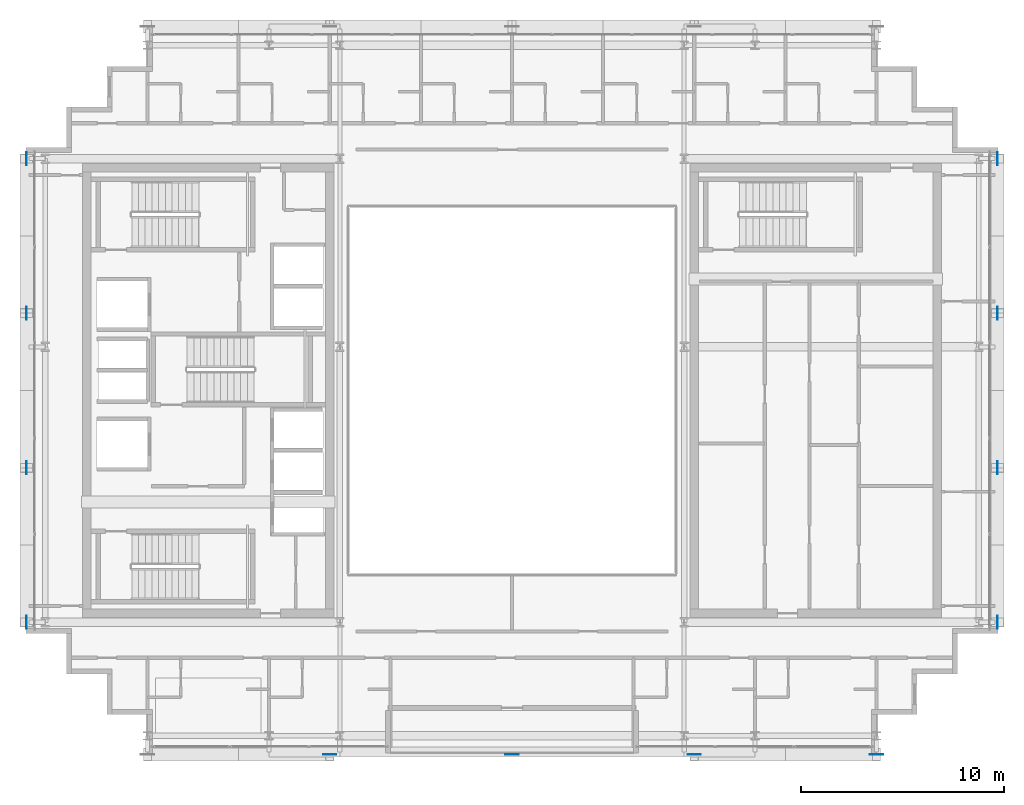
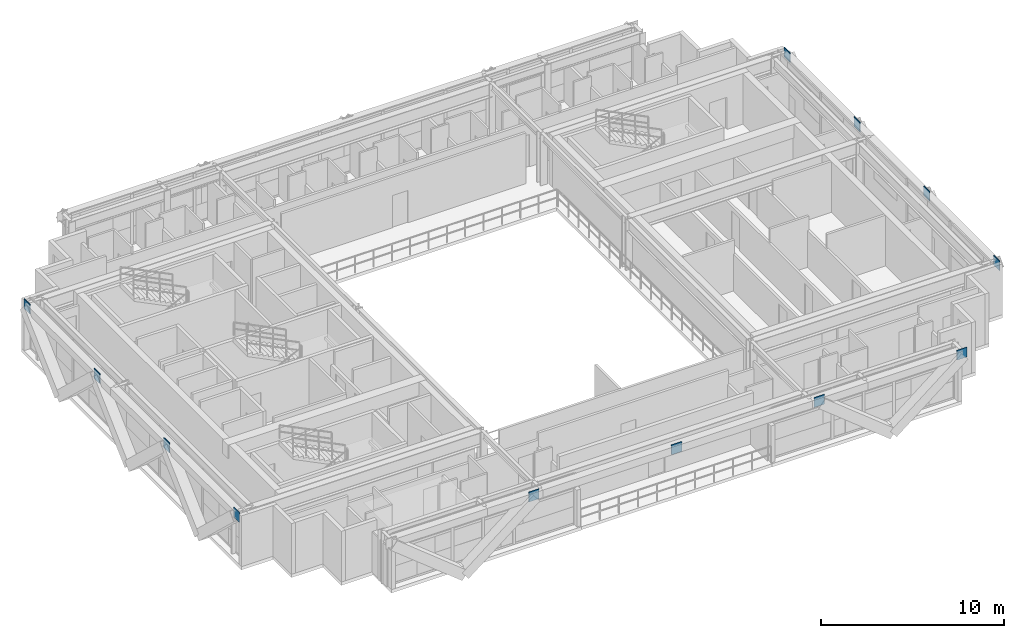
# One storey, part 18 of 28: 12 plates.
"""IFC4 building model written with IfcOpenShell, lengths in metres."""

from ifc_helpers import new_model, si_unit, direction, frame, origin, origin_2d, place, context, subcontext, project, spatial, rectangle, extrude, source, transform, mapped, material, layer, layer_set, type_object, element, save


model = new_model("IFC4")

# Units and contexts
model_context = context("Model", 3, precision=1e-05, world=origin(), true_north=direction((0.0, 1.0)))
body_context = subcontext(model_context, "Body", "Model", "MODEL_VIEW")
ifc_project = project(units=[si_unit("LENGTHUNIT", "METRE"), si_unit("AREAUNIT", "SQUARE_METRE"), si_unit("VOLUMEUNIT", "CUBIC_METRE"), si_unit("PLANEANGLEUNIT", "RADIAN"), si_unit("MASSUNIT", "GRAM", prefix="KILO")], contexts=[model_context])

# Site, building, storey
site_placement = place(None, origin())
site = spatial("IfcSite", under=ifc_project, at=site_placement, CompositionType="ELEMENT")
building_placement = place(site_placement, origin())
building = spatial("IfcBuilding", under=site, at=building_placement, Name="Ocotamira Hotel", CompositionType="ELEMENT")
storey_placement = place(building_placement, frame((0.0, 0.0, 240.0)))
storey = spatial("IfcBuildingStorey", under=building, at=storey_placement, Name="L60", CompositionType="ELEMENT", Elevation=240.0)

# Plates
ifc_material = material(Name="Pale-metal coated steel ASTM A572 Grade 50", Category="steel")
ifc_layer = layer(ifc_material, 0.0400390625)
ifc_layer_set = layer_set([ifc_layer], Name="Pale-metal coated steel ASTM A572 Grade 50")
plate_type = type_object("IfcPlateType", Name="PLT-GUSSET-40", PredefinedType="SHEET", material=ifc_layer_set)
shared_shape_1 = source(origin(), body_context, "Body", "SweptSolid", [
    extrude(rectangle(XDim=0.64990234375, YDim=0.0400390625, at=origin_2d()), origin(), (0.0, 0.0, 1.0), 0.64990234375),
])
for number, where, z_axis, x_axis, name in (
    (1, (23.0, 8.030029296875, 2.804931640625), (0.0, 0.0, 1.0), (1.0, 0.0, 0.0), "L60 Exoskeleton Diagrid S0.2 End Gusset B"),
    (2, (41.0, 8.030029296875, 2.804931640625), (0.0, 0.0, 1.0), (-1.0, 0.0, 0.0), "L60 Exoskeleton Diagrid S3.1 End Gusset B"),
    (3, (50.0, 8.030029296875, 2.804931640625), (0.0, 0.0, 1.0), (1.0, 0.0, 0.0), "L60 Exoskeleton Diagrid S3.2 End Gusset B"),
    (4, (32.0, 8.030029296875, 2.804931640625), (0.0, 0.0, 1.0), (-1.0, 0.0, 0.0), "L60 Exoskeleton Diagrid S1.2 End Gusset A"),
):
    element("IfcPlate", number, at=place(storey_placement, frame(where, z_axis=z_axis, x_axis=x_axis)), inside=storey, type_object=plate_type, Name=name, PredefinedType="SHEET", context=body_context, shape_type="MappedRepresentation", body=[
        mapped(shared_shape_1, transform((0.0, 0.0, 0.0), scale=1.0)),
    ])
shared_shape_2 = source(origin(), body_context, "Body", "SweptSolid", [
    extrude(rectangle(XDim=0.0400390625, YDim=0.64990234375, at=origin_2d()), origin(), (0.0, 0.0, 1.0), 0.64990234375),
])
for number, where, z_axis, x_axis, name in (
    (5, (8.030029296875, 14.550048828125, 2.804931640625), (0.0, 0.0, 1.0), (1.0, 0.0, 0.0), "L60 Exoskeleton Diagrid W0.1 End Gusset B"),
    (6, (8.030029296875, 22.183349609375, 2.804931640625), (0.0, 0.0, 1.0), (1.0, 0.0, 0.0), "L60 Exoskeleton Diagrid W0.2 End Gusset B"),
    (7, (8.030029296875, 29.816650390625, 2.804931640625), (0.0, 0.0, 1.0), (1.0, 0.0, 0.0), "L60 Exoskeleton Diagrid W1.2 End Gusset B"),
    (8, (8.030029296875, 37.449951171875, 2.804931640625), (0.0, 0.0, 1.0), (1.0, 0.0, 0.0), "L60 Exoskeleton Diagrid W2.2 End Gusset B"),
    (9, (55.969970703125, 14.550048828125, 2.804931640625), (0.0, 0.0, 1.0), (1.0, 0.0, 0.0), "L60 Exoskeleton Diagrid E0.1 End Gusset B"),
    (10, (55.969970703125, 22.183349609375, 2.804931640625), (0.0, 0.0, 1.0), (1.0, 0.0, 0.0), "L60 Exoskeleton Diagrid E0.2 End Gusset B"),
    (11, (55.969970703125, 29.816650390625, 2.804931640625), (0.0, 0.0, 1.0), (1.0, 0.0, 0.0), "L60 Exoskeleton Diagrid E1.2 End Gusset B"),
    (12, (55.969970703125, 37.449951171875, 2.804931640625), (0.0, 0.0, 1.0), (1.0, 0.0, 0.0), "L60 Exoskeleton Diagrid E2.2 End Gusset B"),
):
    element("IfcPlate", number, at=place(storey_placement, frame(where, z_axis=z_axis, x_axis=x_axis)), inside=storey, type_object=plate_type, Name=name, PredefinedType="SHEET", context=body_context, shape_type="MappedRepresentation", body=[
        mapped(shared_shape_2, transform((0.0, 0.0, 0.0), scale=1.0)),
    ])

save(model, "model.ifc")
